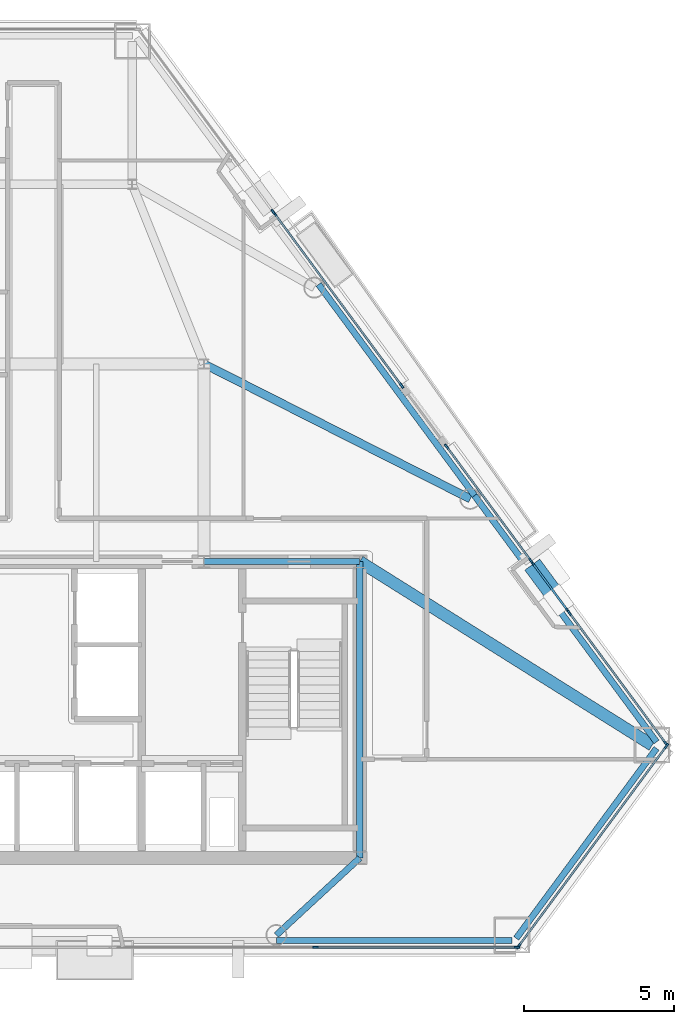
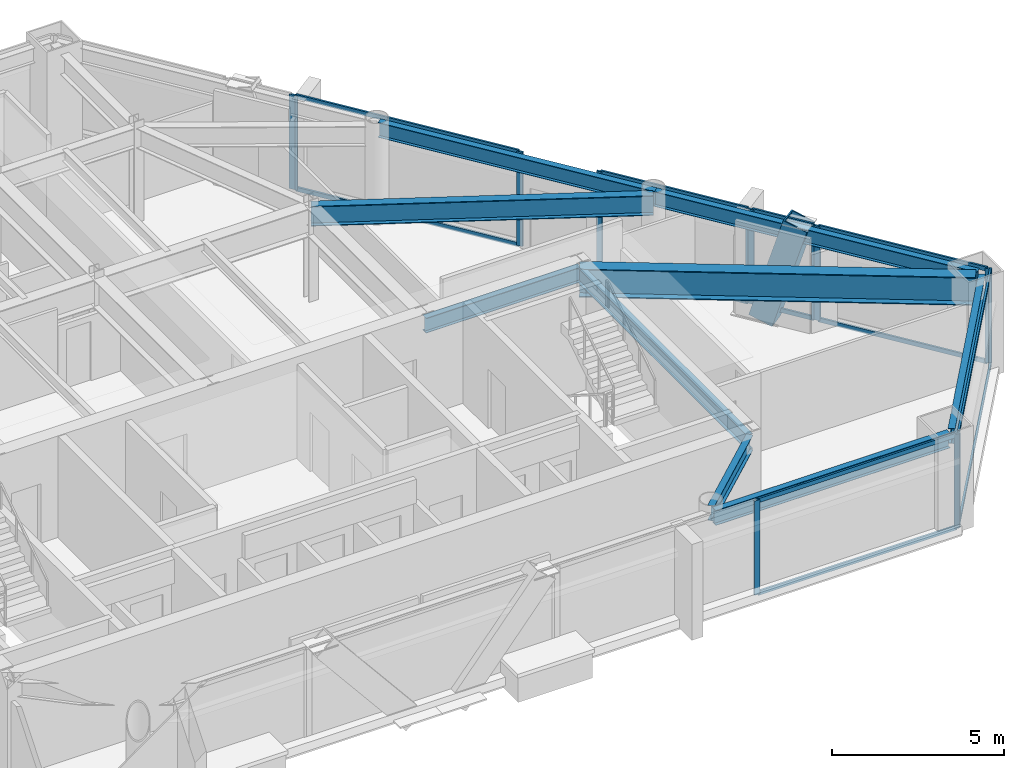
# One storey, part 5 of 11: 26 members, 9 beams, 7 elements without a shape of their own.
"""IFC4 building model written with IfcOpenShell, lengths in metres."""

from ifc_helpers import new_model, si_unit, direction, frame, origin, origin_2d, place, context, subcontext, project, spatial, rectangle, hollow_rectangle, i_section, extrude, material, layer, layer_set, material_profile, profile_set, type_object, element, aggregate, save


model = new_model("IFC4")

# Units and contexts
model_context = context("Model", 3, precision=1e-05, world=origin(), true_north=direction((0.0, 1.0)))
body_context = subcontext(model_context, "Body", "Model", "MODEL_VIEW")
ifc_project = project(units=[si_unit("LENGTHUNIT", "METRE"), si_unit("AREAUNIT", "SQUARE_METRE"), si_unit("VOLUMEUNIT", "CUBIC_METRE"), si_unit("PLANEANGLEUNIT", "RADIAN"), si_unit("MASSUNIT", "GRAM", prefix="KILO")], contexts=[model_context])

# Site, building, storey
site_placement = place(None, origin())
site = spatial("IfcSite", under=ifc_project, at=site_placement, CompositionType="ELEMENT")
building_placement = place(site_placement, origin())
building = spatial("IfcBuilding", under=site, at=building_placement, Name="Talgorran Terracotta Tower", CompositionType="ELEMENT")
storey_placement = place(building_placement, frame((0.0, 0.0, 150.89990234375)))
storey = spatial("IfcBuildingStorey", under=building, at=storey_placement, Name="L39", CompositionType="ELEMENT", Elevation=150.89990234375)

# Beams
ifc_material_1 = material(Name="Steel Grade 350 (350L0)", Category="steel")
ifc_material_profile_1 = material_profile(ifc_material_1, i_section(OverallWidth=0.39990234375, OverallDepth=1.0, WebThickness=0.01611328125, FlangeThickness=0.031005859375, at=origin_2d()), Name="1000WB296")
ifc_profile_set_1 = profile_set([ifc_material_profile_1], Name="Steel Grade 350 (350L0)")
beam_type_1 = type_object("IfcBeamType", Name="BM_1000WB296", PredefinedType="BEAM", material=ifc_profile_set_1)
beam_1_placement = place(storey_placement, frame((12.39990234375, -4.199951171875, 2.85009765625), z_axis=(0.846977550412, -0.531628657145, 0.0), x_axis=(0.531628657145, 0.846977550412, 0.0)))
element("IfcBeam", 1, at=beam_1_placement, inside=storey, type_object=beam_type_1, Name="L39 Floor Girder G18", PredefinedType="BEAM", context=body_context, shape_type="SweptSolid", body=[
    extrude(i_section(OverallWidth=0.39990234375, OverallDepth=1.0, WebThickness=0.01611328125, FlangeThickness=0.031005859375, at=origin_2d()), origin(), (0.0, 0.0, 1.0), 11.533203125),
])
ifc_material_2 = material(Name="Steel S355 (300PLUS)", Category="steel")
ifc_material_profile_2 = material_profile(ifc_material_2, i_section(OverallWidth=0.27490234375, OverallDepth=0.7080078125, WebThickness=0.011962890625, FlangeThickness=0.02490234375, at=origin_2d()), Name="700WB173")
ifc_profile_set_2 = profile_set([ifc_material_profile_2], Name="Steel S355 (300PLUS)")
beam_type_2 = type_object("IfcBeamType", Name="BM_700WB173", PredefinedType="BEAM", material=ifc_profile_set_2)
beam_2_placement = place(storey_placement, frame((7.199951171875, 2.39990234375, 2.99609375), z_axis=(0.892122666424, -0.451793258087, 0.0), x_axis=(0.451793258087, 0.892122666424, 0.0)))
element("IfcBeam", 2, at=beam_2_placement, inside=storey, type_object=beam_type_2, Name="L39 Floor Girder G07", PredefinedType="BEAM", context=body_context, shape_type="SweptSolid", body=[
    extrude(i_section(OverallWidth=0.27490234375, OverallDepth=0.7080078125, WebThickness=0.011962890625, FlangeThickness=0.02490234375, at=origin_2d()), origin(), (0.0, 0.0, 1.0), 9.966796875),
])
ifc_material_profile_3 = material_profile(ifc_material_2, i_section(OverallWidth=0.209228515625, OverallDepth=0.532958984375, WebThickness=0.01025390625, FlangeThickness=0.015625, at=origin_2d()), Name="530UB92.4")
ifc_profile_set_3 = profile_set([ifc_material_profile_3], Name="Steel S355 (300PLUS)")
beam_type_3 = type_object("IfcBeamType", Name="BM_SP_530UB92", PredefinedType="SPANDREL", material=ifc_profile_set_3)
beam_3_placement = place(storey_placement, frame((9.615966796875, -16.8544921875, 3.08349609375), z_axis=(1.0, 0.0, 0.0), x_axis=(0.0, 1.0, 0.0)))
element("IfcBeam", 3, at=beam_3_placement, inside=storey, type_object=beam_type_3, Name="L39 Perimeter Spandrel Beam FC2-MC3", PredefinedType="SPANDREL", context=body_context, shape_type="SweptSolid", body=[
    extrude(i_section(OverallWidth=0.209228515625, OverallDepth=0.532958984375, WebThickness=0.01025390625, FlangeThickness=0.015625, at=origin_2d()), origin(), (0.0, 0.0, 1.0), 7.86767578125),
])
beam_4_placement = place(storey_placement, frame((17.62841796875, -16.78125, 3.08349609375), z_axis=(0.594068918856, 0.804414146848, 0.0), x_axis=(-0.804414146848, 0.594068918856, 0.0)))
element("IfcBeam", 4, at=beam_4_placement, inside=storey, type_object=beam_type_3, Name="L39 Perimeter Spandrel Beam MC3-MC4", PredefinedType="SPANDREL", context=body_context, shape_type="SweptSolid", body=[
    extrude(i_section(OverallWidth=0.209228515625, OverallDepth=0.532958984375, WebThickness=0.01025390625, FlangeThickness=0.015625, at=origin_2d()), origin(), (0.0, 0.0, 1.0), 7.885498046875),
])
beam_5_placement = place(storey_placement, frame((22.31298828125, -10.224365234375, 3.08349609375), z_axis=(-0.594068215055, 0.804414666613, 0.0), x_axis=(-0.804414666613, -0.594068215055, 0.0)))
element("IfcBeam", 5, at=beam_5_placement, inside=storey, type_object=beam_type_3, Name="L39 Perimeter Spandrel Beam MC4-FC3", PredefinedType="SPANDREL", context=body_context, shape_type="SweptSolid", body=[
    extrude(i_section(OverallWidth=0.209228515625, OverallDepth=0.532958984375, WebThickness=0.01025390625, FlangeThickness=0.015625, at=origin_2d()), origin(), (0.0, 0.0, 1.0), 10.22900390625),
])
beam_6_placement = place(storey_placement, frame((16.236328125, -1.99609375, 3.08349609375), z_axis=(-0.594084887131, 0.804402353852, 0.0), x_axis=(-0.804402353852, -0.594084887131, 0.0)))
element("IfcBeam", 6, at=beam_6_placement, inside=storey, type_object=beam_type_3, Name="L39 Perimeter Spandrel Beam FC3-FC4", PredefinedType="SPANDREL", context=body_context, shape_type="SweptSolid", body=[
    extrude(i_section(OverallWidth=0.209228515625, OverallDepth=0.532958984375, WebThickness=0.01025390625, FlangeThickness=0.015625, at=origin_2d()), origin(), (0.0, 0.0, 1.0), 8.767578125),
])
beam_7_placement = place(storey_placement, frame((12.39990234375, -14.10009765625, 3.08349609375), z_axis=(-0.734220592544, -0.678910982003, 0.0), x_axis=(0.678910982003, -0.734220592544, 0.0)))
element("IfcBeam", 7, at=beam_7_placement, inside=storey, type_object=beam_type_3, Name="L39 South-East Core Tie Beam", PredefinedType="SPANDREL", context=body_context, shape_type="SweptSolid", body=[
    extrude(i_section(OverallWidth=0.209228515625, OverallDepth=0.532958984375, WebThickness=0.01025390625, FlangeThickness=0.015625, at=origin_2d()), origin(), (0.0, 0.0, 1.0), 3.791748046875),
])
beam_8_placement = place(storey_placement, frame((12.39990234375, -14.10009765625, 3.08349609375), z_axis=(0.0, 1.0, 0.0), x_axis=(-1.0, 0.0, 0.0)))
element("IfcBeam", 8, at=beam_8_placement, inside=storey, type_object=beam_type_3, Name="L39 Core Frame Beam CFE", PredefinedType="SPANDREL", context=body_context, shape_type="SweptSolid", body=[
    extrude(i_section(OverallWidth=0.209228515625, OverallDepth=0.532958984375, WebThickness=0.01025390625, FlangeThickness=0.015625, at=origin_2d()), origin(), (0.0, 0.0, 1.0), 9.900146484375),
])
beam_9_placement = place(storey_placement, frame((7.199951171875, -4.199951171875, 3.08349609375), z_axis=(1.0, 0.0, 0.0), x_axis=(0.0, 1.0, 0.0)))
element("IfcBeam", 9, at=beam_9_placement, inside=storey, type_object=beam_type_3, Name="L39 Core Frame Beam CFN4", PredefinedType="SPANDREL", context=body_context, shape_type="SweptSolid", body=[
    extrude(i_section(OverallWidth=0.209228515625, OverallDepth=0.532958984375, WebThickness=0.01025390625, FlangeThickness=0.015625, at=origin_2d()), origin(), (0.0, 0.0, 1.0), 5.199951171875),
])

# Member
ifc_material_profile_4 = material_profile(ifc_material_1, hollow_rectangle(XDim=0.6201171875, YDim=0.780029296875, WallThickness=0.0419921875, at=origin_2d()), Name="WBOX780X620X42")
ifc_profile_set_4 = profile_set([ifc_material_profile_4], Name="Steel Grade 350 (350L0)")
member_type_1 = type_object("IfcMemberType", Name="MB_MEGA_780", PredefinedType="BRACE", material=ifc_profile_set_4)
member_1_placement = place(storey_placement, frame((18.385009765625, -4.6025390625, -0.27001953125), z_axis=(0.171361494792, -0.232030646766, 0.957495178611), x_axis=(0.804407113158, 0.594078442885, 0.0)))
element("IfcMember", 10, at=member_1_placement, inside=storey, type_object=member_type_1, Name="L39 Exterior Face Mega-Brace MB-2 (NEL)", PredefinedType="BRACE", context=body_context, shape_type="SweptSolid", body=[
    extrude(hollow_rectangle(XDim=0.6201171875, YDim=0.780029296875, WallThickness=0.0419921875, at=origin_2d()), origin(), (0.0, 0.0, 1.0), 3.806884765625),
])

# Curtain wall, members
ifc_material_3 = material(Name="Unitised Low-E Double Glazing", Category="glass")
ifc_layer = layer(ifc_material_3, 0.199951171875, Name="CW_SYS2_RES_LOW")
ifc_layer_set = layer_set([ifc_layer], Name="Unitised Low-E Double Glazing")
curtain_wall_type = type_object("IfcCurtainWallType", Name="CW_SYS2_RES_LOW", PredefinedType="NOTDEFINED", material=ifc_layer_set)
curtain_wall_1_placement = place(storey_placement, origin())
curtain_wall_1 = element("IfcCurtainWall", 11, at=curtain_wall_1_placement, inside=storey, type_object=curtain_wall_type, Name="CW-L39-F1C", PredefinedType="NOTDEFINED")
ifc_material_4 = material(Name="Architectural Aluminium 6063-T6", Category="aluminium")
ifc_material_profile_5 = material_profile(ifc_material_4, rectangle(XDim=0.06494140625, YDim=0.18505859375, at=origin_2d()), Name="CWM65X185")
ifc_profile_set_5 = profile_set([ifc_material_profile_5], Name="Architectural Aluminium 6063-T6")
member_type_2 = type_object("IfcMemberType", Name="MUL_65X185", PredefinedType="MULLION", material=ifc_profile_set_5)
member_2_placement = place(storey_placement, frame((10.925537109375, -17.074462890625, 0.0), z_axis=(0.0, 0.0, 1.0), x_axis=(0.0, 1.0, 0.0)))
member_2 = element("IfcMember", 12, at=member_2_placement, type_object=member_type_2, Name="CW-L39-1C mullion 2", PredefinedType="MULLION", context=body_context, shape_type="SweptSolid", body=[
    extrude(rectangle(XDim=0.06494140625, YDim=0.18505859375, at=origin_2d()), origin(), (0.0, 0.0, 1.0), 3.35009765625),
])
member_3_placement = place(storey_placement, frame((17.65283203125, -17.074462890625, 0.0), z_axis=(0.0, 0.0, 1.0), x_axis=(0.0, 1.0, 0.0)))
member_3 = element("IfcMember", 13, at=member_3_placement, type_object=member_type_2, Name="CW-L39-1C mullion 3", PredefinedType="MULLION", context=body_context, shape_type="SweptSolid", body=[
    extrude(rectangle(XDim=0.06494140625, YDim=0.18505859375, at=origin_2d()), origin(), (0.0, 0.0, 1.0), 3.35009765625),
])

curtain_wall_2_placement = place(storey_placement, origin())
curtain_wall_2 = element("IfcCurtainWall", 14, at=curtain_wall_2_placement, inside=storey, type_object=curtain_wall_type, Name="CW-L39-F2", PredefinedType="NOTDEFINED")
member_4_placement = place(storey_placement, frame((17.70458984375, -17.04833984375, 0.0), z_axis=(0.0, 0.0, 1.0), x_axis=(-0.804404412487, 0.594082099689, 0.0)))
member_4 = element("IfcMember", 15, at=member_4_placement, type_object=member_type_2, Name="CW-L39-2 mullion 1", PredefinedType="MULLION", context=body_context, shape_type="SweptSolid", body=[
    extrude(rectangle(XDim=0.06494140625, YDim=0.18505859375, at=origin_2d()), origin(), (0.0, 0.0, 1.0), 3.35009765625),
])
member_5_placement = place(storey_placement, frame((22.646240234375, -10.357421875, 0.0), z_axis=(0.0, 0.0, 1.0), x_axis=(-0.804404412487, 0.594082099689, 0.0)))
member_5 = element("IfcMember", 16, at=member_5_placement, type_object=member_type_2, Name="CW-L39-2 mullion 2", PredefinedType="MULLION", context=body_context, shape_type="SweptSolid", body=[
    extrude(rectangle(XDim=0.06494140625, YDim=0.18505859375, at=origin_2d()), origin(), (0.0, 0.0, 1.0), 3.35009765625),
])

curtain_wall_3_placement = place(storey_placement, origin())
curtain_wall_3 = element("IfcCurtainWall", 17, at=curtain_wall_3_placement, inside=storey, type_object=curtain_wall_type, Name="CW-L39-F40", PredefinedType="NOTDEFINED")
member_6_placement = place(storey_placement, frame((22.622314453125, -10.27294921875, 0.0), z_axis=(0.0, 0.0, 1.0), x_axis=(-0.804408736323, -0.594076245045, 0.0)))
member_6 = element("IfcMember", 18, at=member_6_placement, type_object=member_type_2, Name="CW-L39-40 mullion 1", PredefinedType="MULLION", context=body_context, shape_type="SweptSolid", body=[
    extrude(rectangle(XDim=0.06494140625, YDim=0.18505859375, at=origin_2d()), origin(), (0.0, 0.0, 1.0), 3.35009765625),
])
member_7_placement = place(storey_placement, frame((19.402587890625, -5.913330078125, 0.0), z_axis=(0.0, 0.0, 1.0), x_axis=(-0.804408736323, -0.594076245045, 0.0)))
member_7 = element("IfcMember", 19, at=member_7_placement, type_object=member_type_2, Name="CW-L39-40 mullion 2", PredefinedType="MULLION", context=body_context, shape_type="SweptSolid", body=[
    extrude(rectangle(XDim=0.06494140625, YDim=0.18505859375, at=origin_2d()), origin(), (0.0, 0.0, 1.0), 3.35009765625),
])

curtain_wall_4_placement = place(storey_placement, origin())
curtain_wall_4 = element("IfcCurtainWall", 20, at=curtain_wall_4_placement, inside=storey, type_object=curtain_wall_type, Name="CW-L39-F40B", PredefinedType="NOTDEFINED")
member_8_placement = place(storey_placement, frame((19.358154296875, -5.85302734375, 0.0), z_axis=(0.0, 0.0, 1.0), x_axis=(-0.804399102214, -0.594089289886, 0.0)))
member_8 = element("IfcMember", 21, at=member_8_placement, type_object=member_type_2, Name="CW-L39-40B mullion 1", PredefinedType="MULLION", context=body_context, shape_type="SweptSolid", body=[
    extrude(rectangle(XDim=0.06494140625, YDim=0.18505859375, at=origin_2d()), origin(), (0.0, 0.0, 1.0), 3.35009765625),
])
member_9_placement = place(storey_placement, frame((18.15673828125, -4.22607421875, 0.0), z_axis=(0.0, 0.0, 1.0), x_axis=(-0.804399102214, -0.594089289886, 0.0)))
member_9 = element("IfcMember", 22, at=member_9_placement, type_object=member_type_2, Name="CW-L39-40B mullion 2", PredefinedType="MULLION", context=body_context, shape_type="SweptSolid", body=[
    extrude(rectangle(XDim=0.06494140625, YDim=0.18505859375, at=origin_2d()), origin(), (0.0, 0.0, 1.0), 3.35009765625),
])

curtain_wall_5_placement = place(storey_placement, origin())
curtain_wall_5 = element("IfcCurtainWall", 23, at=curtain_wall_5_placement, inside=storey, type_object=curtain_wall_type, Name="CW-L39-F40C", PredefinedType="NOTDEFINED")
member_10_placement = place(storey_placement, frame((18.1123046875, -4.165771484375, 0.0), z_axis=(0.0, 0.0, 1.0), x_axis=(-0.804409518912, -0.594075185379, 0.0)))
member_10 = element("IfcMember", 24, at=member_10_placement, type_object=member_type_2, Name="CW-L39-40C mullion 1", PredefinedType="MULLION", context=body_context, shape_type="SweptSolid", body=[
    extrude(rectangle(XDim=0.06494140625, YDim=0.18505859375, at=origin_2d()), origin(), (0.0, 0.0, 1.0), 3.35009765625),
])
member_11_placement = place(storey_placement, frame((15.300048828125, -0.358154296875, 0.0), z_axis=(0.0, 0.0, 1.0), x_axis=(-0.804409518912, -0.594075185379, 0.0)))
member_11 = element("IfcMember", 25, at=member_11_placement, type_object=member_type_2, Name="CW-L39-40C mullion 2", PredefinedType="MULLION", context=body_context, shape_type="SweptSolid", body=[
    extrude(rectangle(XDim=0.06494140625, YDim=0.18505859375, at=origin_2d()), origin(), (0.0, 0.0, 1.0), 3.35009765625),
])

curtain_wall_6_placement = place(storey_placement, origin())
curtain_wall_6 = element("IfcCurtainWall", 26, at=curtain_wall_6_placement, inside=storey, type_object=curtain_wall_type, Name="CW-L39-F41", PredefinedType="NOTDEFINED")
member_12_placement = place(storey_placement, frame((13.800048828125, 1.6728515625, 0.0), z_axis=(0.0, 0.0, 1.0), x_axis=(-0.804410729742, -0.594073545848, 0.0)))
member_12 = element("IfcMember", 27, at=member_12_placement, type_object=member_type_2, Name="CW-L39-41 mullion 1", PredefinedType="MULLION", context=body_context, shape_type="SweptSolid", body=[
    extrude(rectangle(XDim=0.06494140625, YDim=0.18505859375, at=origin_2d()), origin(), (0.0, 0.0, 1.0), 3.35009765625),
])
member_13_placement = place(storey_placement, frame((9.555908203125, 7.419921875, 0.0), z_axis=(0.0, 0.0, 1.0), x_axis=(-0.804410729742, -0.594073545848, 0.0)))
member_13 = element("IfcMember", 28, at=member_13_placement, type_object=member_type_2, Name="CW-L39-41 mullion 2", PredefinedType="MULLION", context=body_context, shape_type="SweptSolid", body=[
    extrude(rectangle(XDim=0.06494140625, YDim=0.18505859375, at=origin_2d()), origin(), (0.0, 0.0, 1.0), 3.35009765625),
])

# Curtain wall, member
curtain_wall_7_placement = place(storey_placement, origin())
curtain_wall_7 = element("IfcCurtainWall", 29, at=curtain_wall_7_placement, inside=storey, type_object=curtain_wall_type, Name="CW-L39-F41B", PredefinedType="NOTDEFINED")
member_14_placement = place(storey_placement, frame((9.51123046875, 7.480224609375, 0.0), z_axis=(0.0, 0.0, 1.0), x_axis=(-0.804405088152, -0.594081184818, 0.0)))
member_14 = element("IfcMember", 30, at=member_14_placement, type_object=member_type_2, Name="CW-L39-41B mullion 1", PredefinedType="MULLION", context=body_context, shape_type="SweptSolid", body=[
    extrude(rectangle(XDim=0.06494140625, YDim=0.18505859375, at=origin_2d()), origin(), (0.0, 0.0, 1.0), 3.35009765625),
])
aggregate(curtain_wall_7, [member_14])

# Member
ifc_material_profile_6 = material_profile(ifc_material_4, rectangle(XDim=0.06494140625, YDim=0.14990234375, at=origin_2d()), Name="CWT65X150")
ifc_profile_set_6 = profile_set([ifc_material_profile_6], Name="Architectural Aluminium 6063-T6")
member_type_3 = type_object("IfcMemberType", Name="TRN_65X150", PredefinedType="USERDEFINED", material=ifc_profile_set_6)
member_15_placement = place(storey_placement, frame((10.9580078125, -17.074462890625, 0.03271484375), z_axis=(1.0, 0.0, 0.0), x_axis=(0.0, 1.0, 0.0)))
member_15 = element("IfcMember", 31, at=member_15_placement, type_object=member_type_3, Name="CW-L39-1C transom 2.1", ObjectType="TRANSOM", PredefinedType="USERDEFINED", context=body_context, shape_type="SweptSolid", body=[
    extrude(rectangle(XDim=0.06494140625, YDim=0.14990234375, at=origin_2d()), origin(), (0.0, 0.0, 1.0), 6.662353515625),
])

member_16_placement = place(storey_placement, frame((10.9580078125, -17.074462890625, 3.317626953125), z_axis=(1.0, 0.0, 0.0), x_axis=(0.0, 1.0, 0.0)))
member_16 = element("IfcMember", 32, at=member_16_placement, type_object=member_type_3, Name="CW-L39-1C transom 2.2", ObjectType="TRANSOM", PredefinedType="USERDEFINED", context=body_context, shape_type="SweptSolid", body=[
    extrude(rectangle(XDim=0.06494140625, YDim=0.14990234375, at=origin_2d()), origin(), (0.0, 0.0, 1.0), 6.662353515625),
])

aggregate(curtain_wall_1, [member_2, member_3, member_15, member_16])

member_17_placement = place(storey_placement, frame((17.72412109375, -17.022216796875, 0.03271484375), z_axis=(0.594076601696, 0.804408472927, 0.0), x_axis=(-0.804408472927, 0.594076601696, 0.0)))
member_17 = element("IfcMember", 33, at=member_17_placement, type_object=member_type_3, Name="CW-L39-2 transom 1.1", ObjectType="TRANSOM", PredefinedType="USERDEFINED", context=body_context, shape_type="SweptSolid", body=[
    extrude(rectangle(XDim=0.06494140625, YDim=0.14990234375, at=origin_2d()), origin(), (0.0, 0.0, 1.0), 8.2529296875),
])

member_18_placement = place(storey_placement, frame((17.72412109375, -17.022216796875, 3.317626953125), z_axis=(0.594076601696, 0.804408472927, 0.0), x_axis=(-0.804408472927, 0.594076601696, 0.0)))
member_18 = element("IfcMember", 34, at=member_18_placement, type_object=member_type_3, Name="CW-L39-2 transom 1.2", ObjectType="TRANSOM", PredefinedType="USERDEFINED", context=body_context, shape_type="SweptSolid", body=[
    extrude(rectangle(XDim=0.06494140625, YDim=0.14990234375, at=origin_2d()), origin(), (0.0, 0.0, 1.0), 8.2529296875),
])

aggregate(curtain_wall_2, [member_4, member_5, member_17, member_18])

member_19_placement = place(storey_placement, frame((22.60302734375, -10.246826171875, 0.03271484375), z_axis=(-0.594052560213, 0.804426227633, 0.0), x_axis=(-0.804426227633, -0.594052560213, 0.0)))
member_19 = element("IfcMember", 35, at=member_19_placement, type_object=member_type_3, Name="CW-L39-40 transom 1.1", ObjectType="TRANSOM", PredefinedType="USERDEFINED", context=body_context, shape_type="SweptSolid", body=[
    extrude(rectangle(XDim=0.06494140625, YDim=0.14990234375, at=origin_2d()), origin(), (0.0, 0.0, 1.0), 5.3544921875),
])

member_20_placement = place(storey_placement, frame((22.60302734375, -10.246826171875, 3.317626953125), z_axis=(-0.594052560213, 0.804426227633, 0.0), x_axis=(-0.804426227633, -0.594052560213, 0.0)))
member_20 = element("IfcMember", 36, at=member_20_placement, type_object=member_type_3, Name="CW-L39-40 transom 1.2", ObjectType="TRANSOM", PredefinedType="USERDEFINED", context=body_context, shape_type="SweptSolid", body=[
    extrude(rectangle(XDim=0.06494140625, YDim=0.14990234375, at=origin_2d()), origin(), (0.0, 0.0, 1.0), 5.3544921875),
])

aggregate(curtain_wall_3, [member_6, member_7, member_19, member_20])

member_21_placement = place(storey_placement, frame((19.3388671875, -5.826904296875, 0.03271484375), z_axis=(-0.594036819638, 0.804437851493, 0.0), x_axis=(-0.804437851493, -0.594036819638, 0.0)))
member_21 = element("IfcMember", 37, at=member_21_placement, type_object=member_type_3, Name="CW-L39-40B transom 1.1", ObjectType="TRANSOM", PredefinedType="USERDEFINED", context=body_context, shape_type="SweptSolid", body=[
    extrude(rectangle(XDim=0.06494140625, YDim=0.14990234375, at=origin_2d()), origin(), (0.0, 0.0, 1.0), 1.95751953125),
])

member_22_placement = place(storey_placement, frame((19.3388671875, -5.826904296875, 3.317626953125), z_axis=(-0.594036819638, 0.804437851493, 0.0), x_axis=(-0.804437851493, -0.594036819638, 0.0)))
member_22 = element("IfcMember", 38, at=member_22_placement, type_object=member_type_3, Name="CW-L39-40B transom 1.2", ObjectType="TRANSOM", PredefinedType="USERDEFINED", context=body_context, shape_type="SweptSolid", body=[
    extrude(rectangle(XDim=0.06494140625, YDim=0.14990234375, at=origin_2d()), origin(), (0.0, 0.0, 1.0), 1.95751953125),
])

aggregate(curtain_wall_4, [member_8, member_9, member_21, member_22])

member_23_placement = place(storey_placement, frame((18.0927734375, -4.1396484375, 0.03271484375), z_axis=(-0.594076347829, 0.804408660415, 0.0), x_axis=(-0.804408660415, -0.594076347829, 0.0)))
member_23 = element("IfcMember", 39, at=member_23_placement, type_object=member_type_3, Name="CW-L39-40C transom 1.1", ObjectType="TRANSOM", PredefinedType="USERDEFINED", context=body_context, shape_type="SweptSolid", body=[
    extrude(rectangle(XDim=0.06494140625, YDim=0.14990234375, at=origin_2d()), origin(), (0.0, 0.0, 1.0), 4.66845703125),
])

member_24_placement = place(storey_placement, frame((18.0927734375, -4.1396484375, 3.317626953125), z_axis=(-0.594076347829, 0.804408660415, 0.0), x_axis=(-0.804408660415, -0.594076347829, 0.0)))
member_24 = element("IfcMember", 40, at=member_24_placement, type_object=member_type_3, Name="CW-L39-40C transom 1.2", ObjectType="TRANSOM", PredefinedType="USERDEFINED", context=body_context, shape_type="SweptSolid", body=[
    extrude(rectangle(XDim=0.06494140625, YDim=0.14990234375, at=origin_2d()), origin(), (0.0, 0.0, 1.0), 4.66845703125),
])

aggregate(curtain_wall_5, [member_10, member_11, member_23, member_24])

member_25_placement = place(storey_placement, frame((13.78076171875, 1.698974609375, 0.03271484375), z_axis=(-0.594057447638, 0.804422618345, 0.0), x_axis=(-0.804422618345, -0.594057447638, 0.0)))
member_25 = element("IfcMember", 41, at=member_25_placement, type_object=member_type_3, Name="CW-L39-41 transom 1.1", ObjectType="TRANSOM", PredefinedType="USERDEFINED", context=body_context, shape_type="SweptSolid", body=[
    extrude(rectangle(XDim=0.06494140625, YDim=0.14990234375, at=origin_2d()), origin(), (0.0, 0.0, 1.0), 7.079345703125),
])

member_26_placement = place(storey_placement, frame((13.78076171875, 1.698974609375, 3.317626953125), z_axis=(-0.594057447638, 0.804422618345, 0.0), x_axis=(-0.804422618345, -0.594057447638, 0.0)))
member_26 = element("IfcMember", 42, at=member_26_placement, type_object=member_type_3, Name="CW-L39-41 transom 1.2", ObjectType="TRANSOM", PredefinedType="USERDEFINED", context=body_context, shape_type="SweptSolid", body=[
    extrude(rectangle(XDim=0.06494140625, YDim=0.14990234375, at=origin_2d()), origin(), (0.0, 0.0, 1.0), 7.079345703125),
])

aggregate(curtain_wall_6, [member_12, member_13, member_25, member_26])

save(model, "model.ifc")
